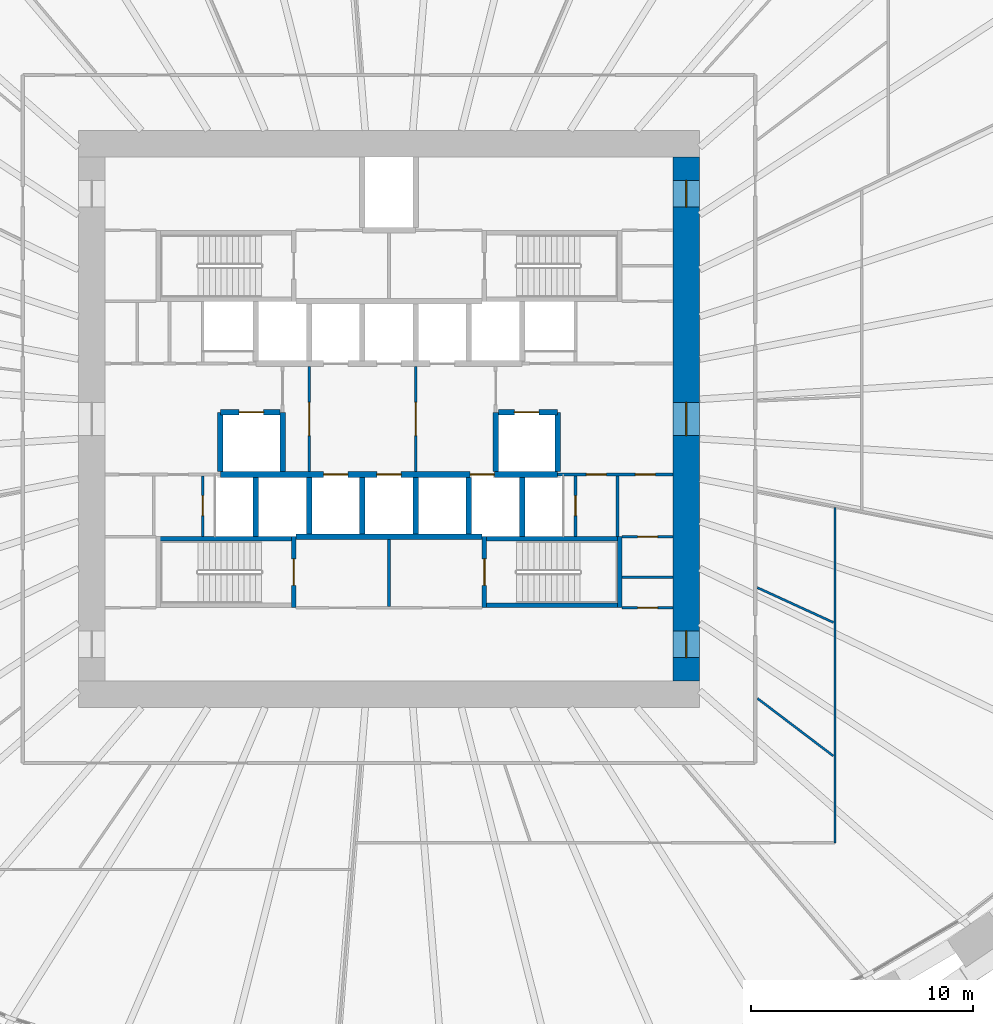
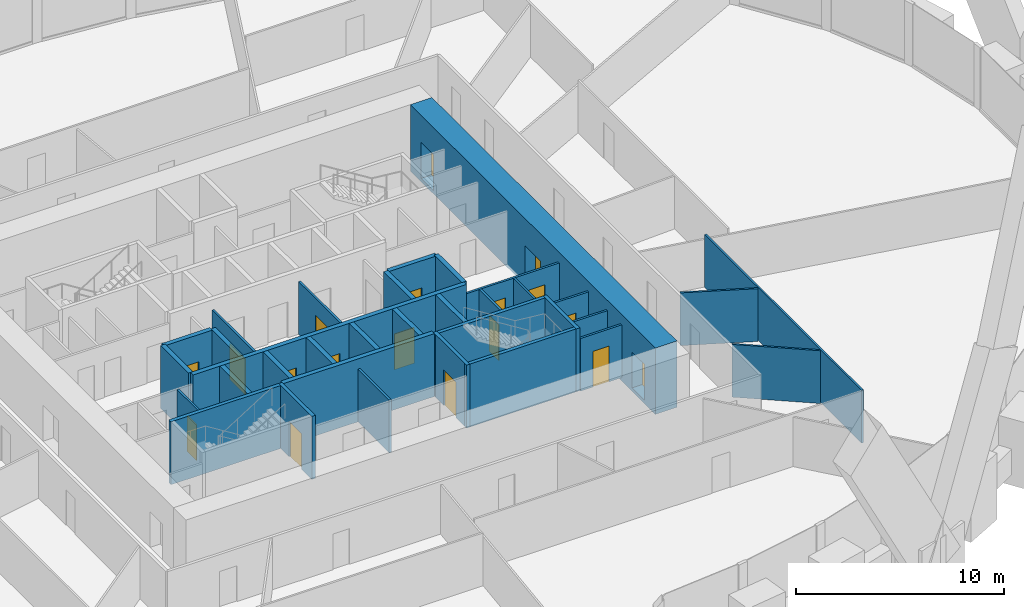
# One storey, part 8 of 13: 34 walls, 18 doors, 18 openings.
"""IFC4 building model written with IfcOpenShell, lengths in metres."""

import ifcopenshell
import ifcopenshell.guid

model = None  # the IFC model being written
_history = None  # IfcOwnerHistory: only IFC2X3 demands one
_inside = {}  # id of a spatial element -> (the spatial element, [elements in it])
_under = {}  # id of a project, library or spatial element -> (it, [spatial elements below it])
_declared = {}  # id of a project -> (the project, [libraries it declares])
_typed = {}  # id of a type object -> (the type object, [elements of that type])
_made_of = {}  # id of a material, layer set ... -> (it, [elements and type objects made of it])


def new_model(schema):
    """Start an empty IFC model of exactly this schema.

    Asked for "IFC4X3", IfcOpenShell would pick the latest addendum, in which some entities
    have other attributes; the version numbers below select the first issue.
    IFC2X3 requires an IfcOwnerHistory on every rooted entity: one is made here for all.
    """
    global model, _history
    if schema == "IFC4X3":
        model = ifcopenshell.file(schema_version=(4, 3, 0, 0))
    else:
        model = ifcopenshell.file(schema=schema)
    _inside.clear()
    _under.clear()
    _declared.clear()
    _typed.clear()
    _made_of.clear()
    _history = None
    if model.schema == "IFC2X3":
        org = make("IfcOrganization", Name="unknown")
        user = make(
            "IfcPersonAndOrganization",
            ThePerson=make("IfcPerson", FamilyName="unknown"),
            TheOrganization=org,
        )
        app = make(
            "IfcApplication",
            ApplicationDeveloper=org,
            Version="unknown",
            ApplicationFullName="unknown",
            ApplicationIdentifier="unknown",
        )
        _history = make(
            "IfcOwnerHistory",
            OwningUser=user,
            OwningApplication=app,
            ChangeAction="ADDED",
            CreationDate=0,
        )
    return model


def make(cls, **values):
    """One entity of the class cls with the attributes given. An attribute that is None is left unset."""
    return model.create_entity(
        cls, **{name: value for name, value in values.items() if value is not None}
    )


def rooted(cls, **values):
    """An entity with a GlobalId (a new one), such as an element, a storey or a relation."""
    return make(cls, GlobalId=ifcopenshell.guid.new(), OwnerHistory=_history, **values)


def si_unit(unit_type, name, prefix=None):
    """IfcSIUnit, for example si_unit("LENGTHUNIT", "METRE", prefix="MILLI")."""
    return make("IfcSIUnit", UnitType=unit_type, Prefix=prefix, Name=name)


def assignment(units):
    """IfcUnitAssignment: the units of a project."""
    return None if units is None else make("IfcUnitAssignment", Units=units)


def point(xyz):
    """IfcCartesianPoint."""
    return None if xyz is None else make("IfcCartesianPoint", Coordinates=xyz)


def direction(xyz):
    """IfcDirection."""
    return None if xyz is None else make("IfcDirection", DirectionRatios=xyz)


def frame(location, z_axis=None, x_axis=None):
    """IfcAxis2Placement3D, a coordinate frame: its origin and axes. An axis left out is left unset."""
    return make(
        "IfcAxis2Placement3D",
        Location=point(location),
        Axis=direction(z_axis),
        RefDirection=direction(x_axis),
    )


def frame_2d(location, x_axis=None):
    """IfcAxis2Placement2D, a coordinate frame in the plane: its origin and x axis."""
    return make(
        "IfcAxis2Placement2D", Location=point(location), RefDirection=direction(x_axis)
    )


def origin():
    """The frame at (0, 0, 0) with its axes left unset."""
    return frame((0.0, 0.0, 0.0))


def place(relative_to, where):
    """IfcLocalPlacement: puts the frame where relative to a parent placement (None: the world)."""
    return make(
        "IfcLocalPlacement", PlacementRelTo=relative_to, RelativePlacement=where
    )


def context(
    kind, dimensions, precision=None, world=None, true_north=None, identifier=None
):
    """IfcGeometricRepresentationContext, for example the 3D "Model" context."""
    return make(
        "IfcGeometricRepresentationContext",
        ContextIdentifier=identifier,
        ContextType=kind,
        CoordinateSpaceDimension=dimensions,
        Precision=precision,
        WorldCoordinateSystem=world,
        TrueNorth=true_north,
    )


def subcontext(parent, identifier, kind, view, scale=None):
    """IfcGeometricRepresentationSubContext, for example "Body" below "Model"."""
    return make(
        "IfcGeometricRepresentationSubContext",
        ContextIdentifier=identifier,
        ContextType=kind,
        ParentContext=parent,
        TargetScale=scale,
        TargetView=view,
    )


def project(units=None, contexts=None):
    """IfcProject with its units and contexts."""
    return rooted(
        "IfcProject",
        Name="project",
        RepresentationContexts=contexts,
        UnitsInContext=assignment(units),
    )


def spatial(cls, under=None, at=None, **own):
    """A site, building, storey or space (cls), placed at a placement, below another one or the project."""
    s = rooted(cls, ObjectPlacement=at, **own)
    if under is not None:
        _under.setdefault(under.id(), (under, []))[1].append(s)
    return s


def profile(cls, at=None, kind="AREA", **sizes):
    """A parametric profile (cls). Its sizes go by their IFC names, for example OverallWidth=200.0."""
    return make(cls, ProfileType=kind, Position=at, **sizes)


def rectangle(**sizes):
    """IfcRectangleProfileDef."""
    return profile("IfcRectangleProfileDef", **sizes)


def extrude(swept, where, along, depth):
    """IfcExtrudedAreaSolid: the profile swept, set in the frame where, extruded along a direction by depth."""
    return make(
        "IfcExtrudedAreaSolid",
        SweptArea=swept,
        Position=where,
        ExtrudedDirection=direction(along),
        Depth=depth,
    )


def shape(context_of_items, identifier, shape_type, items):
    """IfcShapeRepresentation: the items that make up one representation, for example the "Body"."""
    return make(
        "IfcShapeRepresentation",
        ContextOfItems=context_of_items,
        RepresentationIdentifier=identifier,
        RepresentationType=shape_type,
        Items=items,
    )


def source(mapping_origin, context_of_items, identifier, shape_type, items):
    """IfcRepresentationMap: a shape defined once, which mapped items show again and again."""
    return make(
        "IfcRepresentationMap",
        MappingOrigin=mapping_origin,
        MappedRepresentation=shape(context_of_items, identifier, shape_type, items),
    )


def transform(
    local_origin,
    x_axis=None,
    y_axis=None,
    z_axis=None,
    scale=None,
    scale2=None,
    scale3=None,
    uniform=True,
):
    """IfcCartesianTransformationOperator3D, or its non-uniform kind. x_axis, y_axis, z_axis: its Axis1, 2, 3."""
    if uniform:
        return make(
            "IfcCartesianTransformationOperator3D",
            Axis1=direction(x_axis),
            Axis2=direction(y_axis),
            LocalOrigin=point(local_origin),
            Scale=scale,
            Axis3=direction(z_axis),
        )
    return make(
        "IfcCartesianTransformationOperator3DnonUniform",
        Axis1=direction(x_axis),
        Axis2=direction(y_axis),
        LocalOrigin=point(local_origin),
        Scale=scale,
        Axis3=direction(z_axis),
        Scale2=scale2,
        Scale3=scale3,
    )


def mapped(mapping_source, mapping_target):
    """IfcMappedItem: shows the shape of a source again, moved by a transform."""
    return make(
        "IfcMappedItem", MappingSource=mapping_source, MappingTarget=mapping_target
    )


def material(Name=None, Category=None):
    """IfcMaterial."""
    return make("IfcMaterial", Name=Name, Category=Category)


def layer(
    of_material, thickness, ventilated=None, Name=None, Category=None, Priority=None
):
    """IfcMaterialLayer: one layer of a wall or slab, of a material (None: an air gap)."""
    return make(
        "IfcMaterialLayer",
        Material=of_material,
        LayerThickness=thickness,
        IsVentilated=ventilated,
        Name=Name,
        Category=Category,
        Priority=Priority,
    )


def layer_set(layers, Name=None):
    """IfcMaterialLayerSet."""
    return make("IfcMaterialLayerSet", MaterialLayers=layers, LayerSetName=Name)


def made_of(thing, what):
    """Note that an element or type object is made of a material, layer set ...; save() writes the relation."""
    if what is not None:
        _made_of.setdefault(what.id(), (what, []))[1].append(thing)
    return thing


def type_object(cls, material=None, **own):
    """A type object (cls), such as IfcWallType, which elements share."""
    return made_of(rooted(cls, **own), material)


def element(
    cls,
    number,
    at=None,
    inside=None,
    cuts=None,
    type_object=None,
    material=None,
    context=None,
    identifier="Body",
    shape_type=None,
    held_by="IfcProductDefinitionShape",
    body=None,
    shapes=None,
    **own,
):
    """One element of the class cls, such as IfcWall. Its Tag is "e" and its number.

    at: its placement. inside: the storey or other place that contains it. cuts: it is an
    opening in that element (IfcRelVoidsElement). A single representation is given by context,
    identifier, shape_type and body (its items); several are given by shapes. held_by: the class
    of the entity that holds the representations. save() writes the other relations.
    """
    e = rooted(cls, Tag="e%d" % number, ObjectPlacement=at, **own)
    if body is not None:
        shapes = [shape(context, identifier, shape_type, body)]
    if shapes is not None:
        e.Representation = make(held_by, Representations=shapes)
    if inside is not None:
        _inside.setdefault(inside.id(), (inside, []))[1].append(e)
    if cuts is not None:
        rooted(
            "IfcRelVoidsElement", RelatingBuildingElement=cuts, RelatedOpeningElement=e
        )
    if type_object is not None:
        _typed.setdefault(type_object.id(), (type_object, []))[1].append(e)
    return made_of(e, material)


def fill(opening, filler):
    """IfcRelFillsElement: the door or window that sits in an opening."""
    return rooted(
        "IfcRelFillsElement",
        RelatingOpeningElement=opening,
        RelatedBuildingElement=filler,
    )


def aggregate(whole, parts):
    """IfcRelAggregates: a whole, such as a stair, and the parts it consists of."""
    return rooted("IfcRelAggregates", RelatingObject=whole, RelatedObjects=parts)


def save(model, path):
    """Write the relations noted so far, then the file.

    IfcRelAggregates (storeys below a building ...), IfcRelContainedInSpatialStructure (elements
    in a storey), IfcRelDefinesByType, IfcRelAssociatesMaterial and IfcRelDeclares: one each for
    every whole, place, type object, material and project.
    """
    for whole, parts in _under.values():
        aggregate(whole, parts)
    for where, things in _inside.values():
        rooted(
            "IfcRelContainedInSpatialStructure",
            RelatedElements=things,
            RelatingStructure=where,
        )
    for kind, things in _typed.values():
        rooted("IfcRelDefinesByType", RelatedObjects=things, RelatingType=kind)
    for what, things in _made_of.values():
        rooted("IfcRelAssociatesMaterial", RelatedObjects=things, RelatingMaterial=what)
    for by, libraries in _declared.values():
        rooted("IfcRelDeclares", RelatingContext=by, RelatedDefinitions=libraries)
    model.write(path)


model = new_model("IFC4")

# Units and contexts
model_context = context("Model", 3, precision=1e-05, world=origin(), true_north=direction((0.0, 1.0)))
body_context = subcontext(model_context, "Body", "Model", "MODEL_VIEW")
ifc_project = project(units=[si_unit("LENGTHUNIT", "METRE"), si_unit("AREAUNIT", "SQUARE_METRE"), si_unit("VOLUMEUNIT", "CUBIC_METRE"), si_unit("PLANEANGLEUNIT", "RADIAN"), si_unit("MASSUNIT", "GRAM", prefix="KILO")], contexts=[model_context])

# Site, building, storey
site_placement = place(None, origin())
site = spatial("IfcSite", under=ifc_project, at=site_placement, CompositionType="ELEMENT")
building_placement = place(site_placement, origin())
building = spatial("IfcBuilding", under=site, at=building_placement, Name="Embergate Tower", CompositionType="ELEMENT")
storey_placement = place(building_placement, frame((0.0, 0.0, 105.5)))
storey = spatial("IfcBuildingStorey", under=building, at=storey_placement, Name="L22", CompositionType="ELEMENT", Elevation=105.5)

# Wall, openings, doors
ifc_material_1 = material(Name="Concrete C80", Category="concrete")
ifc_layer_1 = layer(ifc_material_1, 1.199951171875)
ifc_layer_set_1 = layer_set([ifc_layer_1], Name="Concrete C80")
wall_type_1 = type_object("IfcWallType", Name="Core outer wall C80 1200", PredefinedType="SHEAR", material=ifc_layer_set_1)
shared_shape_1 = source(origin(), body_context, "Body", "SweptSolid", [
    extrude(rectangle(XDim=23.60009765625, YDim=1.199951171875, at=frame_2d((11.800048828125, 0.0))), origin(), (0.0, 0.0, 1.0), 3.89990234375),
])
wall_1_placement = place(storey_placement, frame((13.39990234375, -11.800048828125, -0.199951171875), z_axis=(0.0, 0.0, 1.0), x_axis=(0.0, 1.0, 0.0)))
wall_1 = element("IfcWall", 1, at=wall_1_placement, inside=storey, type_object=wall_type_1, Name="CW-L22-E", PredefinedType="SHEAR", context=body_context, shape_type="MappedRepresentation", body=[
    mapped(shared_shape_1, transform((0.0, 0.0, 0.0))),
])
shared_shape_2 = source(origin(), body_context, "Body", "SweptSolid", [
    extrude(rectangle(XDim=1.199951171875, YDim=2.10009765625, at=frame_2d((0.60009765625, 1.050048828125))), frame((0.0, 0.60986328125, 0.0), z_axis=(0.0, -1.0, 0.0), x_axis=(1.0, 0.0, 0.0)), (0.0, 0.0, 1.0), 1.219970703125),
])
opening_1_placement = place(wall_1_placement, frame((21.35009765625, 0.0, 0.199951171875)))
opening_1 = element("IfcOpeningElement", 2, at=opening_1_placement, cuts=wall_1, Name="Opening IF-1", PredefinedType="OPENING", context=body_context, shape_type="MappedRepresentation", body=[
    mapped(shared_shape_2, transform((0.0, 0.0, 0.0))),
])
opening_2_placement = place(wall_1_placement, frame((1.050048828125, 0.0, 0.199951171875)))
opening_2 = element("IfcOpeningElement", 3, at=opening_2_placement, cuts=wall_1, Name="Opening IF-1", PredefinedType="OPENING", context=body_context, shape_type="MappedRepresentation", body=[
    mapped(shared_shape_2, transform((0.0, 0.0, 0.0))),
])
shared_shape_3 = source(origin(), body_context, "Body", "SweptSolid", [
    extrude(rectangle(XDim=1.5, YDim=2.10009765625, at=frame_2d((0.75, 1.050048828125))), frame((0.0, 0.60986328125, 0.0), z_axis=(0.0, -1.0, 0.0), x_axis=(1.0, 0.0, 0.0)), (0.0, 0.0, 1.0), 1.219970703125),
])
opening_3_placement = place(wall_1_placement, frame((11.050048828125, 0.0, 0.199951171875)))
opening_3 = element("IfcOpeningElement", 4, at=opening_3_placement, cuts=wall_1, Name="Opening IF-3", PredefinedType="OPENING", context=body_context, shape_type="MappedRepresentation", body=[
    mapped(shared_shape_3, transform((0.0, 0.0, 0.0))),
])
ifc_material_2 = material(Name="Escape fire door 1200")
door_type_1 = type_object("IfcDoorType", Name="Escape fire door 1200", OperationType="SINGLE_SWING_LEFT", PredefinedType="DOOR", material=ifc_material_2)
shared_shape_4 = source(origin(), body_context, "Body", "SweptSolid", [
    extrude(rectangle(XDim=1.199951171875, YDim=2.10009765625, at=frame_2d((0.60009765625, 1.050048828125))), frame((0.0, 0.02490234375, 0.0), z_axis=(0.0, -1.0, 0.0), x_axis=(1.0, 0.0, 0.0)), (0.0, 0.0, 1.0), 0.050048828125),
])
door_1_placement = place(opening_1_placement, origin())
door_1 = element("IfcDoor", 5, at=door_1_placement, inside=storey, type_object=door_type_1, Name="IF-1 door", OperationType="SINGLE_SWING_LEFT", OverallHeight=2.10009765625, OverallWidth=1.199951171875, PredefinedType="DOOR", context=body_context, shape_type="MappedRepresentation", body=[
    mapped(shared_shape_4, transform((0.0, 0.0, 0.0))),
])
fill(opening_1, door_1)
door_2_placement = place(opening_2_placement, origin())
door_2 = element("IfcDoor", 6, at=door_2_placement, inside=storey, type_object=door_type_1, Name="IF-1 door", OperationType="SINGLE_SWING_RIGHT", OverallHeight=2.10009765625, OverallWidth=1.199951171875, PredefinedType="DOOR", context=body_context, shape_type="MappedRepresentation", body=[
    mapped(shared_shape_4, transform((0.0, 0.0, 0.0))),
])
fill(opening_2, door_2)
ifc_material_3 = material(Name="Lobby fire door pair 1500")
door_type_2 = type_object("IfcDoorType", Name="Lobby fire door pair 1500", OperationType="DOUBLE_DOOR_SINGLE_SWING", PredefinedType="DOOR", material=ifc_material_3)
shared_shape_5 = source(origin(), body_context, "Body", "SweptSolid", [
    extrude(rectangle(XDim=1.5, YDim=2.10009765625, at=frame_2d((0.75, 1.050048828125))), frame((0.0, 0.02490234375, 0.0), z_axis=(0.0, -1.0, 0.0), x_axis=(1.0, 0.0, 0.0)), (0.0, 0.0, 1.0), 0.050048828125),
])
door_3_placement = place(opening_3_placement, origin())
door_3 = element("IfcDoor", 7, at=door_3_placement, inside=storey, type_object=door_type_2, Name="IF-3 door", OperationType="DOUBLE_DOOR_SINGLE_SWING", OverallHeight=2.10009765625, OverallWidth=1.5, PredefinedType="DOOR", context=body_context, shape_type="MappedRepresentation", body=[
    mapped(shared_shape_5, transform((0.0, 0.0, 0.0))),
])
fill(opening_3, door_3)

# Walls
ifc_material_4 = material(Name="Concrete C50", Category="concrete")
ifc_layer_2 = layer(ifc_material_4, 0.25)
ifc_layer_set_2 = layer_set([ifc_layer_2], Name="Concrete C50")
wall_type_2 = type_object("IfcWallType", Name="Hoistway wall reinforced concrete 250", PredefinedType="SHEAR", material=ifc_layer_set_2)
shared_shape_6 = source(origin(), body_context, "Body", "SweptSolid", [
    extrude(rectangle(XDim=2.675048828125, YDim=0.25, at=frame_2d((1.33740234375, 0.0))), origin(), (0.0, 0.0, 1.0), 3.699951171875),
])
for number, where, z_axis, x_axis, name in (
    (8, (-6.0, -5.300048828125, 0.0), (0.0, 0.0, 1.0), (0.0, 1.0, 0.0), "HW-1 wall"),
    (9, (6.0, -5.300048828125, 0.0), (0.0, 0.0, 1.0), (0.0, 1.0, 0.0), "HW-1 wall"),
    (10, (-4.800048828125, 0.300048828125, 0.0), (0.0, 0.0, 1.0), (0.0, -1.0, 0.0), "HW-1 wall"),
    (11, (4.800048828125, -2.375, 0.0), (0.0, 0.0, 1.0), (0.0, 1.0, 0.0), "HW-1 wall"),
):
    element("IfcWall", number, at=place(storey_placement, frame(where, z_axis=z_axis, x_axis=x_axis)), inside=storey, type_object=wall_type_2, Name=name, PredefinedType="SHEAR", context=body_context, shape_type="MappedRepresentation", body=[
        mapped(shared_shape_6, transform((0.0, 0.0, 0.0))),
    ])

# Wall, opening, door
wall_2_placement = place(storey_placement, frame((-4.925048828125, 0.300048828125, 0.0), z_axis=(0.0, 0.0, 1.0), x_axis=(-1.0, 0.0, 0.0)))
wall_2 = element("IfcWall", 12, at=wall_2_placement, inside=storey, type_object=wall_type_2, Name="HW-1 wall", PredefinedType="SHEAR", context=body_context, shape_type="MappedRepresentation", body=[
    mapped(shared_shape_6, transform((0.0, 0.0, 0.0))),
])
shared_shape_7 = source(origin(), body_context, "Body", "SweptSolid", [
    extrude(rectangle(XDim=1.10009765625, YDim=2.10009765625, at=frame_2d((0.550048828125, 1.050048828125))), frame((0.0, 0.135009765625, 0.0), z_axis=(0.0, -1.0, 0.0), x_axis=(1.0, 0.0, 0.0)), (0.0, 0.0, 1.0), 0.27001953125),
])
opening_4_placement = place(wall_2_placement, frame((0.72509765625, 0.0, 0.0)))
opening_4 = element("IfcOpeningElement", 13, at=opening_4_placement, cuts=wall_2, Name="Opening LD", PredefinedType="OPENING", context=body_context, shape_type="MappedRepresentation", body=[
    mapped(shared_shape_7, transform((0.0, 0.0, 0.0))),
])
ifc_material_5 = material(Name="Landing door sliding 1100")
door_type_3 = type_object("IfcDoorType", Name="Landing door sliding 1100", OperationType="SLIDING_TO_LEFT", PredefinedType="DOOR", material=ifc_material_5)
shared_shape_8 = source(origin(), body_context, "Body", "SweptSolid", [
    extrude(rectangle(XDim=1.10009765625, YDim=2.10009765625, at=frame_2d((0.550048828125, 1.050048828125))), frame((0.0, 0.02490234375, 0.0), z_axis=(0.0, -1.0, 0.0), x_axis=(1.0, 0.0, 0.0)), (0.0, 0.0, 1.0), 0.050048828125),
])
door_4_placement = place(opening_4_placement, origin())
door_4 = element("IfcDoor", 14, at=door_4_placement, inside=storey, type_object=door_type_3, Name="LD door", OperationType="SLIDING_TO_RIGHT", OverallHeight=2.10009765625, OverallWidth=1.10009765625, PredefinedType="DOOR", context=body_context, shape_type="MappedRepresentation", body=[
    mapped(shared_shape_8, transform((0.0, 0.0, 0.0))),
])
fill(opening_4, door_4)

# Wall
wall_3_placement = place(storey_placement, frame((-7.60009765625, 0.300048828125, 0.0), z_axis=(0.0, 0.0, 1.0), x_axis=(0.0, -1.0, 0.0)))
element("IfcWall", 15, at=wall_3_placement, inside=storey, type_object=wall_type_2, Name="HW-1 wall", PredefinedType="SHEAR", context=body_context, shape_type="MappedRepresentation", body=[
    mapped(shared_shape_6, transform((0.0, 0.0, 0.0))),
])

# Wall, opening, door
wall_4_placement = place(storey_placement, frame((7.60009765625, 0.300048828125, 0.0), z_axis=(0.0, 0.0, 1.0), x_axis=(-1.0, 0.0, 0.0)))
wall_4 = element("IfcWall", 16, at=wall_4_placement, inside=storey, type_object=wall_type_2, Name="HW-1 wall", PredefinedType="SHEAR", context=body_context, shape_type="MappedRepresentation", body=[
    mapped(shared_shape_6, transform((0.0, 0.0, 0.0))),
])
opening_5_placement = place(wall_4_placement, frame((0.85009765625, 0.0, 0.0)))
opening_5 = element("IfcOpeningElement", 17, at=opening_5_placement, cuts=wall_4, Name="Opening LD", PredefinedType="OPENING", context=body_context, shape_type="MappedRepresentation", body=[
    mapped(shared_shape_7, transform((0.0, 0.0, 0.0))),
])
door_5_placement = place(opening_5_placement, origin())
door_5 = element("IfcDoor", 18, at=door_5_placement, inside=storey, type_object=door_type_3, Name="LD door", OperationType="SLIDING_TO_RIGHT", OverallHeight=2.10009765625, OverallWidth=1.10009765625, PredefinedType="DOOR", context=body_context, shape_type="MappedRepresentation", body=[
    mapped(shared_shape_8, transform((0.0, 0.0, 0.0))),
])
fill(opening_5, door_5)

# Walls
wall_5_placement = place(storey_placement, frame((7.60009765625, -2.375, 0.0), z_axis=(0.0, 0.0, 1.0), x_axis=(0.0, 1.0, 0.0)))
element("IfcWall", 19, at=wall_5_placement, inside=storey, type_object=wall_type_2, Name="HW-1 wall", PredefinedType="SHEAR", context=body_context, shape_type="MappedRepresentation", body=[
    mapped(shared_shape_6, transform((0.0, 0.0, 0.0))),
])
ifc_layer_3 = layer(ifc_material_4, 0.199951171875)
ifc_layer_set_3 = layer_set([ifc_layer_3], Name="Concrete C50")
wall_type_3 = type_object("IfcWallType", Name="Stair enclosure wall reinforced concrete 250", PredefinedType="SHEAR", material=ifc_layer_set_3)
shared_shape_9 = source(origin(), body_context, "Body", "SweptSolid", [
    extrude(rectangle(XDim=6.300048828125, YDim=0.199951171875, at=frame_2d((3.14990234375, 0.0))), origin(), (0.0, 0.0, 1.0), 3.699951171875),
])
for number, where, z_axis, x_axis, name in (
    (20, (-10.5, -5.39990234375, 0.0), (0.0, 0.0, 1.0), (1.0, 0.0, 0.0), "SE-1 wall"),
    (21, (4.199951171875, -5.39990234375, 0.0), (0.0, 0.0, 1.0), (1.0, 0.0, 0.0), "SE-1 wall"),
    (22, (4.199951171875, -8.39990234375, 0.0), (0.0, 0.0, 1.0), (1.0, 0.0, 0.0), "SE-1 wall"),
):
    element("IfcWall", number, at=place(storey_placement, frame(where, z_axis=z_axis, x_axis=x_axis)), inside=storey, type_object=wall_type_3, Name=name, PredefinedType="SHEAR", context=body_context, shape_type="MappedRepresentation", body=[
        mapped(shared_shape_9, transform((0.0, 0.0, 0.0))),
    ])

# Wall, opening, door
ifc_material_6 = material(Name="Core partition blockwork 120")
ifc_layer_4 = layer(ifc_material_6, 0.1201171875)
ifc_layer_set_4 = layer_set([ifc_layer_4], Name="Core partition blockwork 120")
wall_type_4 = type_object("IfcWallType", Name="Core partition blockwork 120", PredefinedType="PARTITIONING", material=ifc_layer_set_4)
shared_shape_10 = source(origin(), body_context, "Body", "SweptSolid", [
    extrude(rectangle(XDim=2.739990234375, YDim=0.1201171875, at=frame_2d((1.3701171875, 0.0))), origin(), (0.0, 0.0, 1.0), 3.10009765625),
])
wall_6_placement = place(storey_placement, frame((-8.39990234375, -2.56005859375, 0.0), z_axis=(0.0, 0.0, 1.0), x_axis=(0.0, -1.0, 0.0)))
wall_6 = element("IfcWall", 23, at=wall_6_placement, inside=storey, type_object=wall_type_4, Name="IP-3 wall", PredefinedType="PARTITIONING", context=body_context, shape_type="MappedRepresentation", body=[
    mapped(shared_shape_10, transform((0.0, 0.0, 0.0))),
])
shared_shape_11 = source(origin(), body_context, "Body", "SweptSolid", [
    extrude(rectangle(XDim=0.89990234375, YDim=2.10009765625, at=frame_2d((0.449951171875, 1.050048828125))), frame((0.0, 0.070068359375, 0.0), z_axis=(0.0, -1.0, 0.0), x_axis=(1.0, 0.0, 0.0)), (0.0, 0.0, 1.0), 0.14013671875),
])
opening_6_placement = place(wall_6_placement, frame((0.889892578125, 0.0, 0.0)))
opening_6 = element("IfcOpeningElement", 24, at=opening_6_placement, cuts=wall_6, Name="Opening ID-1", PredefinedType="OPENING", context=body_context, shape_type="MappedRepresentation", body=[
    mapped(shared_shape_11, transform((0.0, 0.0, 0.0))),
])
ifc_material_7 = material(Name="Interior door 900")
door_type_4 = type_object("IfcDoorType", Name="Interior door 900", OperationType="SINGLE_SWING_LEFT", PredefinedType="DOOR", material=ifc_material_7)
shared_shape_12 = source(origin(), body_context, "Body", "SweptSolid", [
    extrude(rectangle(XDim=0.89990234375, YDim=2.10009765625, at=frame_2d((0.449951171875, 1.050048828125))), frame((0.0, 0.02490234375, 0.0), z_axis=(0.0, -1.0, 0.0), x_axis=(1.0, 0.0, 0.0)), (0.0, 0.0, 1.0), 0.050048828125),
])
door_6_placement = place(opening_6_placement, origin())
door_6 = element("IfcDoor", 25, at=door_6_placement, inside=storey, type_object=door_type_4, Name="ID-1 door", OperationType="SINGLE_SWING_LEFT", OverallHeight=2.10009765625, OverallWidth=0.89990234375, PredefinedType="DOOR", context=body_context, shape_type="MappedRepresentation", body=[
    mapped(shared_shape_12, transform((0.0, 0.0, 0.0))),
])
fill(opening_6, door_6)

wall_7_placement = place(storey_placement, frame((8.39990234375, -5.300048828125, 0.0), z_axis=(0.0, 0.0, 1.0), x_axis=(0.0, 1.0, 0.0)))
wall_7 = element("IfcWall", 26, at=wall_7_placement, inside=storey, type_object=wall_type_4, Name="IP-3 wall", PredefinedType="PARTITIONING", context=body_context, shape_type="MappedRepresentation", body=[
    mapped(shared_shape_10, transform((0.0, 0.0, 0.0))),
])
opening_7_placement = place(wall_7_placement, frame((0.949951171875, 0.0, 0.0)))
opening_7 = element("IfcOpeningElement", 27, at=opening_7_placement, cuts=wall_7, Name="Opening ID-1", PredefinedType="OPENING", context=body_context, shape_type="MappedRepresentation", body=[
    mapped(shared_shape_11, transform((0.0, 0.0, 0.0))),
])
door_7_placement = place(opening_7_placement, origin())
door_7 = element("IfcDoor", 28, at=door_7_placement, inside=storey, type_object=door_type_4, Name="ID-1 door", OperationType="SINGLE_SWING_RIGHT", OverallHeight=2.10009765625, OverallWidth=0.89990234375, PredefinedType="DOOR", context=body_context, shape_type="MappedRepresentation", body=[
    mapped(shared_shape_12, transform((0.0, 0.0, 0.0))),
])
fill(opening_7, door_7)

# Walls
wall_8_placement = place(storey_placement, frame((10.2919921875, -5.300048828125, 0.0), z_axis=(0.0, 0.0, 1.0), x_axis=(0.0, 1.0, 0.0)))
element("IfcWall", 29, at=wall_8_placement, inside=storey, type_object=wall_type_4, Name="IP-3 wall", PredefinedType="PARTITIONING", context=body_context, shape_type="MappedRepresentation", body=[
    mapped(shared_shape_10, transform((0.0, 0.0, 0.0))),
])
shared_shape_13 = source(origin(), body_context, "Body", "SweptSolid", [
    extrude(rectangle(XDim=2.550048828125, YDim=0.25, at=frame_2d((1.27490234375, 0.0))), origin(), (0.0, 0.0, 1.0), 3.699951171875),
])
for number, where, z_axis, x_axis, name in (
    (30, (-3.60009765625, -5.175048828125, 0.0), (0.0, 0.0, 1.0), (0.0, 1.0, 0.0), "HW-1 wall"),
    (31, (-1.199951171875, -5.175048828125, 0.0), (0.0, 0.0, 1.0), (0.0, 1.0, 0.0), "HW-1 wall"),
    (32, (1.199951171875, -5.175048828125, 0.0), (0.0, 0.0, 1.0), (0.0, 1.0, 0.0), "HW-1 wall"),
    (33, (3.60009765625, -5.175048828125, 0.0), (0.0, 0.0, 1.0), (0.0, 1.0, 0.0), "HW-1 wall"),
):
    element("IfcWall", number, at=place(storey_placement, frame(where, z_axis=z_axis, x_axis=x_axis)), inside=storey, type_object=wall_type_2, Name=name, PredefinedType="SHEAR", context=body_context, shape_type="MappedRepresentation", body=[
        mapped(shared_shape_13, transform((0.0, 0.0, 0.0))),
    ])
shared_shape_14 = source(origin(), body_context, "Body", "SweptSolid", [
    extrude(rectangle(XDim=8.39990234375, YDim=0.25, at=frame_2d((4.199951171875, 0.0))), origin(), (0.0, 0.0, 1.0), 3.699951171875),
])
wall_9_placement = place(storey_placement, frame((-4.199951171875, -5.300048828125, 0.0), z_axis=(0.0, 0.0, 1.0), x_axis=(1.0, 0.0, 0.0)))
element("IfcWall", 34, at=wall_9_placement, inside=storey, type_object=wall_type_2, Name="HW-1 wall", PredefinedType="SHEAR", context=body_context, shape_type="MappedRepresentation", body=[
    mapped(shared_shape_14, transform((0.0, 0.0, 0.0))),
])

# Wall, openings, doors
shared_shape_15 = source(origin(), body_context, "Body", "SweptSolid", [
    extrude(rectangle(XDim=15.2001953125, YDim=0.25, at=frame_2d((7.60009765625, 0.0))), origin(), (0.0, 0.0, 1.0), 3.699951171875),
])
wall_10_placement = place(storey_placement, frame((7.60009765625, -2.5, 0.0), z_axis=(0.0, 0.0, 1.0), x_axis=(-1.0, 0.0, 0.0)))
wall_10 = element("IfcWall", 35, at=wall_10_placement, inside=storey, type_object=wall_type_2, Name="HW-1 wall", PredefinedType="SHEAR", context=body_context, shape_type="MappedRepresentation", body=[
    mapped(shared_shape_15, transform((0.0, 0.0, 0.0))),
])
opening_8_placement = place(wall_10_placement, frame((9.449951171875, 0.0, 0.0)))
opening_8 = element("IfcOpeningElement", 36, at=opening_8_placement, cuts=wall_10, Name="Opening LD", PredefinedType="OPENING", context=body_context, shape_type="MappedRepresentation", body=[
    mapped(shared_shape_7, transform((0.0, 0.0, 0.0))),
])
opening_9_placement = place(wall_10_placement, frame((7.050048828125, 0.0, 0.0)))
opening_9 = element("IfcOpeningElement", 37, at=opening_9_placement, cuts=wall_10, Name="Opening LD", PredefinedType="OPENING", context=body_context, shape_type="MappedRepresentation", body=[
    mapped(shared_shape_7, transform((0.0, 0.0, 0.0))),
])
opening_10_placement = place(wall_10_placement, frame((2.85009765625, 0.0, 0.0)))
opening_10 = element("IfcOpeningElement", 38, at=opening_10_placement, cuts=wall_10, Name="Opening LD", PredefinedType="OPENING", context=body_context, shape_type="MappedRepresentation", body=[
    mapped(shared_shape_7, transform((0.0, 0.0, 0.0))),
])
door_8_placement = place(opening_8_placement, origin())
door_8 = element("IfcDoor", 39, at=door_8_placement, inside=storey, type_object=door_type_3, Name="LD door", OperationType="SLIDING_TO_LEFT", OverallHeight=2.10009765625, OverallWidth=1.10009765625, PredefinedType="DOOR", context=body_context, shape_type="MappedRepresentation", body=[
    mapped(shared_shape_8, transform((0.0, 0.0, 0.0))),
])
fill(opening_8, door_8)
door_9_placement = place(opening_9_placement, origin())
door_9 = element("IfcDoor", 40, at=door_9_placement, inside=storey, type_object=door_type_3, Name="LD door", OperationType="SLIDING_TO_LEFT", OverallHeight=2.10009765625, OverallWidth=1.10009765625, PredefinedType="DOOR", context=body_context, shape_type="MappedRepresentation", body=[
    mapped(shared_shape_8, transform((0.0, 0.0, 0.0))),
])
fill(opening_9, door_9)
door_10_placement = place(opening_10_placement, origin())
door_10 = element("IfcDoor", 41, at=door_10_placement, inside=storey, type_object=door_type_3, Name="LD door", OperationType="SLIDING_TO_RIGHT", OverallHeight=2.10009765625, OverallWidth=1.10009765625, PredefinedType="DOOR", context=body_context, shape_type="MappedRepresentation", body=[
    mapped(shared_shape_8, transform((0.0, 0.0, 0.0))),
])
fill(opening_10, door_10)

shared_shape_16 = source(origin(), body_context, "Body", "SweptSolid", [
    extrude(rectangle(XDim=5.199951171875, YDim=0.1201171875, at=frame_2d((2.60009765625, 0.0))), origin(), (0.0, 0.0, 1.0), 3.10009765625),
])
wall_11_placement = place(storey_placement, frame((12.800048828125, -2.5, 0.0), z_axis=(0.0, 0.0, 1.0), x_axis=(-1.0, 0.0, 0.0)))
wall_11 = element("IfcWall", 42, at=wall_11_placement, inside=storey, type_object=wall_type_4, Name="IP-3 wall", PredefinedType="PARTITIONING", context=body_context, shape_type="MappedRepresentation", body=[
    mapped(shared_shape_16, transform((0.0, 0.0, 0.0))),
])
opening_11_placement = place(wall_11_placement, frame((3.00390625, 0.0, 0.0)))
opening_11 = element("IfcOpeningElement", 43, at=opening_11_placement, cuts=wall_11, Name="Opening ID-1", PredefinedType="OPENING", context=body_context, shape_type="MappedRepresentation", body=[
    mapped(shared_shape_11, transform((0.0, 0.0, 0.0))),
])
opening_12_placement = place(wall_11_placement, frame((0.803955078125, 0.0, 0.0)))
opening_12 = element("IfcOpeningElement", 44, at=opening_12_placement, cuts=wall_11, Name="Opening ID-1", PredefinedType="OPENING", context=body_context, shape_type="MappedRepresentation", body=[
    mapped(shared_shape_11, transform((0.0, 0.0, 0.0))),
])
door_11_placement = place(opening_11_placement, origin())
door_11 = element("IfcDoor", 45, at=door_11_placement, inside=storey, type_object=door_type_4, Name="ID-1 door", OperationType="SINGLE_SWING_LEFT", OverallHeight=2.10009765625, OverallWidth=0.89990234375, PredefinedType="DOOR", context=body_context, shape_type="MappedRepresentation", body=[
    mapped(shared_shape_12, transform((0.0, 0.0, 0.0))),
])
fill(opening_11, door_11)
door_12_placement = place(opening_12_placement, origin())
door_12 = element("IfcDoor", 46, at=door_12_placement, inside=storey, type_object=door_type_4, Name="ID-1 door", OperationType="SINGLE_SWING_RIGHT", OverallHeight=2.10009765625, OverallWidth=0.89990234375, PredefinedType="DOOR", context=body_context, shape_type="MappedRepresentation", body=[
    mapped(shared_shape_12, transform((0.0, 0.0, 0.0))),
])
fill(opening_12, door_12)

# Wall, opening, door
shared_shape_17 = source(origin(), body_context, "Body", "SweptSolid", [
    extrude(rectangle(XDim=4.75, YDim=0.1201171875, at=frame_2d((2.375, 0.0))), origin(), (0.0, 0.0, 1.0), 3.10009765625),
])
wall_12_placement = place(storey_placement, frame((-3.60009765625, -2.375, 0.0), z_axis=(0.0, 0.0, 1.0), x_axis=(0.0, 1.0, 0.0)))
wall_12 = element("IfcWall", 47, at=wall_12_placement, inside=storey, type_object=wall_type_4, Name="IP-3 wall", PredefinedType="PARTITIONING", context=body_context, shape_type="MappedRepresentation", body=[
    mapped(shared_shape_17, transform((0.0, 0.0, 0.0))),
])
shared_shape_18 = source(origin(), body_context, "Body", "SweptSolid", [
    extrude(rectangle(XDim=1.5, YDim=2.10009765625, at=frame_2d((0.75, 1.050048828125))), frame((0.0, 0.070068359375, 0.0), z_axis=(0.0, -1.0, 0.0), x_axis=(1.0, 0.0, 0.0)), (0.0, 0.0, 1.0), 0.14013671875),
])
opening_13_placement = place(wall_12_placement, frame((1.625, 0.0, 0.0)))
opening_13 = element("IfcOpeningElement", 48, at=opening_13_placement, cuts=wall_12, Name="Opening IF-3", PredefinedType="OPENING", context=body_context, shape_type="MappedRepresentation", body=[
    mapped(shared_shape_18, transform((0.0, 0.0, 0.0))),
])
door_13_placement = place(opening_13_placement, origin())
door_13 = element("IfcDoor", 49, at=door_13_placement, inside=storey, type_object=door_type_2, Name="IF-3 door", OperationType="DOUBLE_DOOR_SINGLE_SWING", OverallHeight=2.10009765625, OverallWidth=1.5, PredefinedType="DOOR", context=body_context, shape_type="MappedRepresentation", body=[
    mapped(shared_shape_5, transform((0.0, 0.0, 0.0))),
])
fill(opening_13, door_13)

wall_13_placement = place(storey_placement, frame((1.199951171875, -2.375, 0.0), z_axis=(0.0, 0.0, 1.0), x_axis=(0.0, 1.0, 0.0)))
wall_13 = element("IfcWall", 50, at=wall_13_placement, inside=storey, type_object=wall_type_4, Name="IP-3 wall", PredefinedType="PARTITIONING", context=body_context, shape_type="MappedRepresentation", body=[
    mapped(shared_shape_17, transform((0.0, 0.0, 0.0))),
])
opening_14_placement = place(wall_13_placement, frame((1.625, 0.0, 0.0)))
opening_14 = element("IfcOpeningElement", 51, at=opening_14_placement, cuts=wall_13, Name="Opening IF-3", PredefinedType="OPENING", context=body_context, shape_type="MappedRepresentation", body=[
    mapped(shared_shape_18, transform((0.0, 0.0, 0.0))),
])
door_14_placement = place(opening_14_placement, origin())
door_14 = element("IfcDoor", 52, at=door_14_placement, inside=storey, type_object=door_type_2, Name="IF-3 door", OperationType="DOUBLE_DOOR_SINGLE_SWING", OverallHeight=2.10009765625, OverallWidth=1.5, PredefinedType="DOOR", context=body_context, shape_type="MappedRepresentation", body=[
    mapped(shared_shape_5, transform((0.0, 0.0, 0.0))),
])
fill(opening_14, door_14)

shared_shape_19 = source(origin(), body_context, "Body", "SweptSolid", [
    extrude(rectangle(XDim=3.199951171875, YDim=0.199951171875, at=frame_2d((1.60009765625, 0.0))), origin(), (0.0, 0.0, 1.0), 3.699951171875),
])
wall_14_placement = place(storey_placement, frame((-4.300048828125, -8.5, 0.0), z_axis=(0.0, 0.0, 1.0), x_axis=(0.0, 1.0, 0.0)))
wall_14 = element("IfcWall", 53, at=wall_14_placement, inside=storey, type_object=wall_type_3, Name="SE-1 wall", PredefinedType="SHEAR", context=body_context, shape_type="MappedRepresentation", body=[
    mapped(shared_shape_19, transform((0.0, 0.0, 0.0))),
])
shared_shape_20 = source(origin(), body_context, "Body", "SweptSolid", [
    extrude(rectangle(XDim=1.199951171875, YDim=2.10009765625, at=frame_2d((0.60009765625, 1.050048828125))), frame((0.0, 0.10986328125, 0.0), z_axis=(0.0, -1.0, 0.0), x_axis=(1.0, 0.0, 0.0)), (0.0, 0.0, 1.0), 0.219970703125),
])
opening_15_placement = place(wall_14_placement, frame((1.0, 0.0, 0.0)))
opening_15 = element("IfcOpeningElement", 54, at=opening_15_placement, cuts=wall_14, Name="Opening IF-2", PredefinedType="OPENING", context=body_context, shape_type="MappedRepresentation", body=[
    mapped(shared_shape_20, transform((0.0, 0.0, 0.0))),
])
ifc_material_8 = material(Name="Stair enclosure door 1200")
door_type_5 = type_object("IfcDoorType", Name="Stair enclosure door 1200", OperationType="SINGLE_SWING_LEFT", PredefinedType="DOOR", material=ifc_material_8)
door_15_placement = place(opening_15_placement, origin())
door_15 = element("IfcDoor", 55, at=door_15_placement, inside=storey, type_object=door_type_5, Name="IF-2 door", OperationType="SINGLE_SWING_RIGHT", OverallHeight=2.10009765625, OverallWidth=1.199951171875, PredefinedType="DOOR", context=body_context, shape_type="MappedRepresentation", body=[
    mapped(shared_shape_4, transform((0.0, 0.0, 0.0))),
])
fill(opening_15, door_15)

wall_15_placement = place(storey_placement, frame((4.300048828125, -5.300048828125, 0.0), z_axis=(0.0, 0.0, 1.0), x_axis=(0.0, -1.0, 0.0)))
wall_15 = element("IfcWall", 56, at=wall_15_placement, inside=storey, type_object=wall_type_3, Name="SE-1 wall", PredefinedType="SHEAR", context=body_context, shape_type="MappedRepresentation", body=[
    mapped(shared_shape_19, transform((0.0, 0.0, 0.0))),
])
opening_16_placement = place(wall_15_placement, frame((1.0, 0.0, 0.0)))
opening_16 = element("IfcOpeningElement", 57, at=opening_16_placement, cuts=wall_15, Name="Opening IF-2", PredefinedType="OPENING", context=body_context, shape_type="MappedRepresentation", body=[
    mapped(shared_shape_20, transform((0.0, 0.0, 0.0))),
])
door_16_placement = place(opening_16_placement, origin())
door_16 = element("IfcDoor", 58, at=door_16_placement, inside=storey, type_object=door_type_5, Name="IF-2 door", OperationType="SINGLE_SWING_RIGHT", OverallHeight=2.10009765625, OverallWidth=1.199951171875, PredefinedType="DOOR", context=body_context, shape_type="MappedRepresentation", body=[
    mapped(shared_shape_4, transform((0.0, 0.0, 0.0))),
])
fill(opening_16, door_16)

# Walls
wall_16_placement = place(storey_placement, frame((10.39990234375, -8.5, 0.0), z_axis=(0.0, 0.0, 1.0), x_axis=(0.0, 1.0, 0.0)))
element("IfcWall", 59, at=wall_16_placement, inside=storey, type_object=wall_type_3, Name="SE-1 wall", PredefinedType="SHEAR", context=body_context, shape_type="MappedRepresentation", body=[
    mapped(shared_shape_19, transform((0.0, 0.0, 0.0))),
])
shared_shape_21 = source(origin(), body_context, "Body", "SweptSolid", [
    extrude(rectangle(XDim=3.014892578125, YDim=0.1201171875, at=frame_2d((1.50732421875, 0.0))), origin(), (0.0, 0.0, 1.0), 3.10009765625),
])
wall_17_placement = place(storey_placement, frame((0.0, -8.43994140625, 0.0), z_axis=(0.0, 0.0, 1.0), x_axis=(0.0, 1.0, 0.0)))
element("IfcWall", 60, at=wall_17_placement, inside=storey, type_object=wall_type_4, Name="IP-3 wall", PredefinedType="PARTITIONING", context=body_context, shape_type="MappedRepresentation", body=[
    mapped(shared_shape_21, transform((0.0, 0.0, 0.0))),
])

# Wall, opening, door
shared_shape_22 = source(origin(), body_context, "Body", "SweptSolid", [
    extrude(rectangle(XDim=2.300048828125, YDim=0.1201171875, at=frame_2d((1.14990234375, 0.0))), origin(), (0.0, 0.0, 1.0), 3.10009765625),
])
wall_18_placement = place(storey_placement, frame((12.800048828125, -8.5, 0.0), z_axis=(0.0, 0.0, 1.0), x_axis=(-1.0, 0.0, 0.0)))
wall_18 = element("IfcWall", 61, at=wall_18_placement, inside=storey, type_object=wall_type_4, Name="IP-3 wall", PredefinedType="PARTITIONING", context=body_context, shape_type="MappedRepresentation", body=[
    mapped(shared_shape_22, transform((0.0, 0.0, 0.0))),
])
opening_17_placement = place(wall_18_placement, frame((0.699951171875, 0.0, 0.0)))
opening_17 = element("IfcOpeningElement", 62, at=opening_17_placement, cuts=wall_18, Name="Opening ID-1", PredefinedType="OPENING", context=body_context, shape_type="MappedRepresentation", body=[
    mapped(shared_shape_11, transform((0.0, 0.0, 0.0))),
])
door_17_placement = place(opening_17_placement, origin())
door_17 = element("IfcDoor", 63, at=door_17_placement, inside=storey, type_object=door_type_4, Name="ID-1 door", OperationType="SINGLE_SWING_LEFT", OverallHeight=2.10009765625, OverallWidth=0.89990234375, PredefinedType="DOOR", context=body_context, shape_type="MappedRepresentation", body=[
    mapped(shared_shape_12, transform((0.0, 0.0, 0.0))),
])
fill(opening_17, door_17)

wall_19_placement = place(storey_placement, frame((10.5, -5.300048828125, 0.0), z_axis=(0.0, 0.0, 1.0), x_axis=(1.0, 0.0, 0.0)))
wall_19 = element("IfcWall", 64, at=wall_19_placement, inside=storey, type_object=wall_type_4, Name="IP-3 wall", PredefinedType="PARTITIONING", context=body_context, shape_type="MappedRepresentation", body=[
    mapped(shared_shape_22, transform((0.0, 0.0, 0.0))),
])
opening_18_placement = place(wall_19_placement, frame((0.699951171875, 0.0, 0.0)))
opening_18 = element("IfcOpeningElement", 65, at=opening_18_placement, cuts=wall_19, Name="Opening ID-1", PredefinedType="OPENING", context=body_context, shape_type="MappedRepresentation", body=[
    mapped(shared_shape_11, transform((0.0, 0.0, 0.0))),
])
door_18_placement = place(opening_18_placement, origin())
door_18 = element("IfcDoor", 66, at=door_18_placement, inside=storey, type_object=door_type_4, Name="ID-1 door", OperationType="SINGLE_SWING_RIGHT", OverallHeight=2.10009765625, OverallWidth=0.89990234375, PredefinedType="DOOR", context=body_context, shape_type="MappedRepresentation", body=[
    mapped(shared_shape_12, transform((0.0, 0.0, 0.0))),
])
fill(opening_18, door_18)

# Walls
wall_20_placement = place(storey_placement, frame((12.800048828125, -7.1240234375, 0.0), z_axis=(0.0, 0.0, 1.0), x_axis=(-1.0, 0.0, 0.0)))
element("IfcWall", 67, at=wall_20_placement, inside=storey, type_object=wall_type_4, Name="IP-3 wall", PredefinedType="PARTITIONING", context=body_context, shape_type="MappedRepresentation", body=[
    mapped(shared_shape_22, transform((0.0, 0.0, 0.0))),
])
ifc_material_9 = material(Name="Partition dry-lined 100")
ifc_layer_5 = layer(ifc_material_9, 0.10009765625)
ifc_layer_set_5 = layer_set([ifc_layer_5], Name="Partition dry-lined 100")
wall_type_5 = type_object("IfcWallType", Name="Partition dry-lined 100", PredefinedType="PARTITIONING", material=ifc_layer_set_5)
shared_shape_23 = source(origin(), body_context, "Body", "SweptSolid", [
    extrude(rectangle(XDim=4.2861328125, YDim=0.10009765625, at=frame_2d((2.14306640625, 0.0))), origin(), (0.0, 0.0, 1.0), 3.10009765625),
])
wall_21_placement = place(storey_placement, frame((16.60498046875, -12.593994140625, 0.0), z_axis=(0.0, 0.0, 1.0), x_axis=(0.796762197245, -0.604292976164, 0.0)))
element("IfcWall", 68, at=wall_21_placement, inside=storey, type_object=wall_type_5, Name="IP-1 wall", PredefinedType="PARTITIONING", context=body_context, shape_type="MappedRepresentation", body=[
    mapped(shared_shape_23, transform((0.0, 0.0, 0.0))),
])
shared_shape_24 = source(origin(), body_context, "Body", "SweptSolid", [
    extrude(rectangle(XDim=15.113037109375, YDim=0.10009765625, at=frame_2d((7.556640625, 0.0))), origin(), (0.0, 0.0, 1.0), 3.10009765625),
])
wall_22_placement = place(storey_placement, frame((20.10009765625, -3.987060546875, 0.0), z_axis=(0.0, 0.0, 1.0), x_axis=(0.0, -1.0, 0.0)))
element("IfcWall", 69, at=wall_22_placement, inside=storey, type_object=wall_type_5, Name="IP-1 wall", PredefinedType="PARTITIONING", context=body_context, shape_type="MappedRepresentation", body=[
    mapped(shared_shape_24, transform((0.0, 0.0, 0.0))),
])
shared_shape_25 = source(origin(), body_context, "Body", "SweptSolid", [
    extrude(rectangle(XDim=3.77587890625, YDim=0.10009765625, at=frame_2d((1.887939453125, 0.0))), origin(), (0.0, 0.0, 1.0), 3.10009765625),
])
wall_23_placement = place(storey_placement, frame((20.029052734375, -9.1708984375, 0.0), z_axis=(0.0, 0.0, 1.0), x_axis=(-0.909238220108, 0.416276181273, 0.0)))
element("IfcWall", 70, at=wall_23_placement, inside=storey, type_object=wall_type_5, Name="IP-1 wall", PredefinedType="PARTITIONING", context=body_context, shape_type="MappedRepresentation", body=[
    mapped(shared_shape_25, transform((0.0, 0.0, 0.0))),
])

save(model, "model.ifc")
